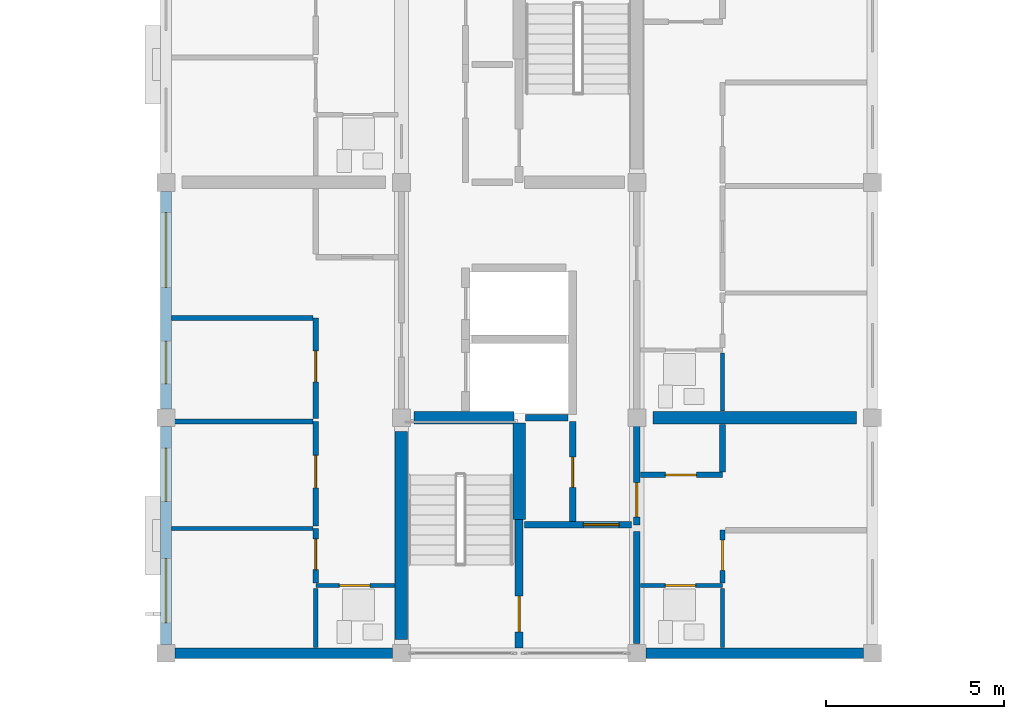
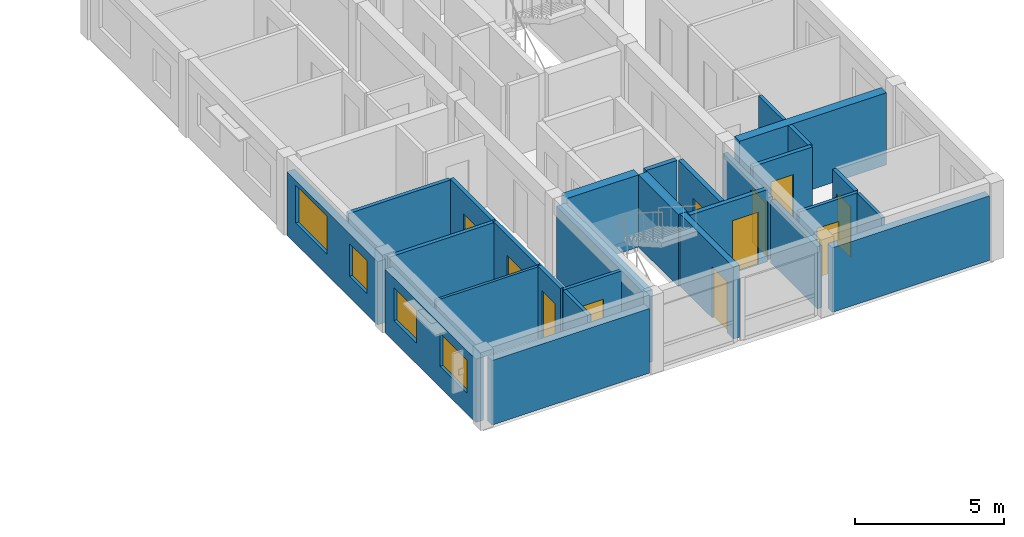
# One storey, part 30 of 52: 28 walls, 11 doors, 4 windows, 15 openings.
"""IFC4 building model written with IfcOpenShell, lengths in metres."""

from ifc_helpers import new_model, si_unit, direction, frame, frame_2d, origin, place, context, subcontext, project, spatial, rectangle, extrude, material, layer, layer_set, type_object, element, fill, save


model = new_model("IFC4")

# Units and contexts
model_context = context("Model", 3, precision=1e-05, world=origin(), true_north=direction((0.0, 1.0)))
body_context = subcontext(model_context, "Body", "Model", "MODEL_VIEW")
ifc_project = project(units=[si_unit("LENGTHUNIT", "METRE"), si_unit("AREAUNIT", "SQUARE_METRE"), si_unit("VOLUMEUNIT", "CUBIC_METRE"), si_unit("PLANEANGLEUNIT", "RADIAN"), si_unit("MASSUNIT", "GRAM", prefix="KILO")], contexts=[model_context])

# Site, building, storey
site_placement = place(None, origin())
site = spatial("IfcSite", under=ifc_project, at=site_placement, CompositionType="ELEMENT")
building_placement = place(site_placement, origin())
building = spatial("IfcBuilding", under=site, at=building_placement, Name="Kernevlak Ridge Housing Community", CompositionType="ELEMENT")
storey_placement = place(building_placement, frame((0.0, 0.0, 11.60009765625)))
storey = spatial("IfcBuildingStorey", under=building, at=storey_placement, Name="L03", CompositionType="ELEMENT", Elevation=11.60009765625)

# Wall, openings, windows
ifc_material_1 = material(Name="Concrete block masonry M10", Category="masonry")
ifc_layer_1 = layer(ifc_material_1, 0.300048828125, Name="Concrete block masonry M10")
ifc_layer_set_1 = layer_set([ifc_layer_1], Name="Concrete block masonry M10")
wall_type_1 = type_object("IfcWallType", Name="EW-01", PredefinedType="STANDARD", material=ifc_layer_set_1)
wall_1_placement = place(storey_placement, frame((126.0, 15.85009765625, 0.0), z_axis=(0.0, 0.0, 1.0), x_axis=(0.0, 1.0, 0.0)))
wall_1 = element("IfcWall", 1, at=wall_1_placement, inside=storey, type_object=wall_type_1, Name="Exterior wall EW-01 L03 572", PredefinedType="STANDARD", context=body_context, shape_type="SweptSolid", body=[
    extrude(rectangle(XDim=6.099853515625, YDim=0.300048828125, at=frame_2d((3.0498046875, 0.0))), origin(), (0.0, 0.0, 1.0), 2.599853515625),
])
opening_1_placement = place(wall_1_placement, frame((0.60009765625, 0.0, 0.85009765625)))
opening_1 = element("IfcOpeningElement", 2, at=opening_1_placement, cuts=wall_1, Name="Opening WT-03", PredefinedType="OPENING", context=body_context, shape_type="SweptSolid", body=[
    extrude(rectangle(XDim=1.800048828125, YDim=1.35009765625, at=frame_2d((0.89990234375, 0.675048828125))), frame((0.0, 0.159912109375, 0.0), z_axis=(0.0, -1.0, 0.0), x_axis=(1.0, 0.0, 0.0)), (0.0, 0.0, 1.0), 0.320068359375),
])
opening_2_placement = place(wall_1_placement, frame((4.0, 0.0, 0.85009765625)))
opening_2 = element("IfcOpeningElement", 3, at=opening_2_placement, cuts=wall_1, Name="Opening WT-02", PredefinedType="OPENING", context=body_context, shape_type="SweptSolid", body=[
    extrude(rectangle(XDim=1.5, YDim=1.35009765625, at=frame_2d((0.75, 0.675048828125))), frame((0.0, 0.159912109375, 0.0), z_axis=(0.0, -1.0, 0.0), x_axis=(1.0, 0.0, 0.0)), (0.0, 0.0, 1.0), 0.320068359375),
])
ifc_material_2 = material(Name="Aluminium EN AW-6060 anodised and laminated glass", Category="aluminium")
window_type_1 = type_object("IfcWindowType", Name="WT-02", PartitioningType="SINGLE_PANEL", PredefinedType="WINDOW", material=ifc_material_2)
window_1_placement = place(opening_2_placement, origin())
window_1 = element("IfcWindow", 4, at=window_1_placement, inside=storey, type_object=window_type_1, Name="Window WT-02 L03 458", OverallHeight=1.35009765625, OverallWidth=1.5, PartitioningType="SINGLE_PANEL", PredefinedType="WINDOW", context=body_context, shape_type="SweptSolid", body=[
    extrude(rectangle(XDim=1.5, YDim=1.35009765625, at=frame_2d((0.75, 0.675048828125))), frame((0.0, 0.030029296875, 0.0), z_axis=(0.0, -1.0, 0.0), x_axis=(1.0, 0.0, 0.0)), (0.0, 0.0, 1.0), 0.06005859375),
])
fill(opening_2, window_1)
window_type_2 = type_object("IfcWindowType", Name="WT-03", PartitioningType="SINGLE_PANEL", PredefinedType="WINDOW", material=ifc_material_2)
window_2_placement = place(opening_1_placement, origin())
window_2 = element("IfcWindow", 5, at=window_2_placement, inside=storey, type_object=window_type_2, Name="Window WT-03 L03 457", OverallHeight=1.35009765625, OverallWidth=1.800048828125, PartitioningType="SINGLE_PANEL", PredefinedType="WINDOW", context=body_context, shape_type="SweptSolid", body=[
    extrude(rectangle(XDim=1.800048828125, YDim=1.35009765625, at=frame_2d((0.89990234375, 0.675048828125))), frame((0.0, 0.030029296875, 0.0), z_axis=(0.0, -1.0, 0.0), x_axis=(1.0, 0.0, 0.0)), (0.0, 0.0, 1.0), 0.06005859375),
])
fill(opening_1, window_2)

wall_2_placement = place(storey_placement, frame((126.0, 22.449951171875, 0.0), z_axis=(0.0, 0.0, 1.0), x_axis=(0.0, 1.0, 0.0)))
wall_2 = element("IfcWall", 6, at=wall_2_placement, inside=storey, type_object=wall_type_1, Name="Exterior wall EW-01 L03 573", PredefinedType="STANDARD", context=body_context, shape_type="SweptSolid", body=[
    extrude(rectangle(XDim=6.10009765625, YDim=0.300048828125, at=frame_2d((3.050048828125, 0.0))), origin(), (0.0, 0.0, 1.0), 2.599853515625),
])
opening_3_placement = place(wall_2_placement, frame((0.699951171875, 0.0, 0.85009765625)))
opening_3 = element("IfcOpeningElement", 7, at=opening_3_placement, cuts=wall_2, Name="Opening WT-01", PredefinedType="OPENING", context=body_context, shape_type="SweptSolid", body=[
    extrude(rectangle(XDim=1.199951171875, YDim=1.35009765625, at=frame_2d((0.60009765625, 0.675048828125))), frame((0.0, 0.159912109375, 0.0), z_axis=(0.0, -1.0, 0.0), x_axis=(1.0, 0.0, 0.0)), (0.0, 0.0, 1.0), 0.320068359375),
])
opening_4_placement = place(wall_2_placement, frame((3.39990234375, 0.0, 0.85009765625)))
opening_4 = element("IfcOpeningElement", 8, at=opening_4_placement, cuts=wall_2, Name="Opening WT-05", PredefinedType="OPENING", context=body_context, shape_type="SweptSolid", body=[
    extrude(rectangle(XDim=2.10009765625, YDim=1.550048828125, at=frame_2d((1.050048828125, 0.77490234375))), frame((0.0, 0.159912109375, 0.0), z_axis=(0.0, -1.0, 0.0), x_axis=(1.0, 0.0, 0.0)), (0.0, 0.0, 1.0), 0.320068359375),
])
window_type_3 = type_object("IfcWindowType", Name="WT-01", PartitioningType="SINGLE_PANEL", PredefinedType="WINDOW", material=ifc_material_2)
window_3_placement = place(opening_3_placement, origin())
window_3 = element("IfcWindow", 9, at=window_3_placement, inside=storey, type_object=window_type_3, Name="Window WT-01 L03 459", OverallHeight=1.35009765625, OverallWidth=1.199951171875, PartitioningType="SINGLE_PANEL", PredefinedType="WINDOW", context=body_context, shape_type="SweptSolid", body=[
    extrude(rectangle(XDim=1.199951171875, YDim=1.35009765625, at=frame_2d((0.60009765625, 0.675048828125))), frame((0.0, 0.030029296875, 0.0), z_axis=(0.0, -1.0, 0.0), x_axis=(1.0, 0.0, 0.0)), (0.0, 0.0, 1.0), 0.06005859375),
])
fill(opening_3, window_3)
window_type_4 = type_object("IfcWindowType", Name="WT-05", PartitioningType="SINGLE_PANEL", PredefinedType="WINDOW", material=ifc_material_2)
window_4_placement = place(opening_4_placement, origin())
window_4 = element("IfcWindow", 10, at=window_4_placement, inside=storey, type_object=window_type_4, Name="Window WT-05 L03 460", OverallHeight=1.550048828125, OverallWidth=2.10009765625, PartitioningType="SINGLE_PANEL", PredefinedType="WINDOW", context=body_context, shape_type="SweptSolid", body=[
    extrude(rectangle(XDim=2.10009765625, YDim=1.550048828125, at=frame_2d((1.050048828125, 0.77490234375))), frame((0.0, 0.030029296875, 0.0), z_axis=(0.0, -1.0, 0.0), x_axis=(1.0, 0.0, 0.0)), (0.0, 0.0, 1.0), 0.06005859375),
])
fill(opening_4, window_4)

# Walls
for number, where, z_axis, x_axis, name in (
    (11, (126.25, 15.60009765625, 0.0), (0.0, 0.0, 1.0), (1.0, 0.0, 0.0), "Exterior wall EW-01 L03 582"),
    (12, (139.449951171875, 15.60009765625, 0.0), (0.0, 0.0, 1.0), (1.0, 0.0, 0.0), "Exterior wall EW-01 L03 583"),
):
    element("IfcWall", number, at=place(storey_placement, frame(where, z_axis=z_axis, x_axis=x_axis)), inside=storey, type_object=wall_type_1, Name=name, PredefinedType="STANDARD", context=body_context, shape_type="SweptSolid", body=[
        extrude(rectangle(XDim=6.10009765625, YDim=0.300048828125, at=frame_2d((3.050048828125, 0.0))), origin(), (0.0, 0.0, 1.0), 2.64990234375),
    ])

# Wall, opening, door
ifc_material_3 = material(Name="Concrete C35/45", Category="concrete")
ifc_layer_2 = layer(ifc_material_3, 0.22509765625, Name="Concrete C35/45")
ifc_layer_set_2 = layer_set([ifc_layer_2], Name="Concrete C35/45")
wall_type_2 = type_object("IfcWallType", Name="PW-01", PredefinedType="STANDARD", material=ifc_layer_set_2)
wall_3_placement = place(storey_placement, frame((135.89990234375, 15.75, 0.0), z_axis=(0.0, 0.0, 1.0), x_axis=(0.0, 1.0, 0.0)))
wall_3 = element("IfcWall", 13, at=wall_3_placement, inside=storey, type_object=wall_type_2, Name="Interior wall PW-01 WAL-INT-L03-2296", PredefinedType="STANDARD", context=body_context, shape_type="SweptSolid", body=[
    extrude(rectangle(XDim=3.60009765625, YDim=0.22509765625, at=frame_2d((1.800048828125, 0.0))), origin(), (0.0, 0.0, 1.0), 2.9599609375),
])
opening_5_placement = place(wall_3_placement, frame((0.449951171875, 0.0, 0.0)))
opening_5 = element("IfcOpeningElement", 14, at=opening_5_placement, cuts=wall_3, Name="Opening E165", PredefinedType="OPENING", context=body_context, shape_type="SweptSolid", body=[
    extrude(rectangle(XDim=1.0, YDim=2.10009765625, at=frame_2d((0.5, 1.050048828125))), frame((0.0, 0.12255859375, 0.0), z_axis=(0.0, -1.0, 0.0), x_axis=(1.0, 0.0, 0.0)), (0.0, 0.0, 1.0), 0.2451171875),
])
ifc_material_4 = material(Name="Fire-rated sheet steel leaf", Category="steel")
door_type_1 = type_object("IfcDoorType", Name="DT-05", OperationType="NOTDEFINED", PredefinedType="DOOR", material=ifc_material_4)
door_1_placement = place(opening_5_placement, origin())
door_1 = element("IfcDoor", 15, at=door_1_placement, inside=storey, type_object=door_type_1, Name="Block C Stair 1 fire door E165", OperationType="SINGLE_SWING_RIGHT", OverallHeight=2.10009765625, OverallWidth=1.0, PredefinedType="DOOR", context=body_context, shape_type="SweptSolid", body=[
    extrude(rectangle(XDim=1.0, YDim=2.10009765625, at=frame_2d((0.5, 1.050048828125))), frame((0.0, 0.02490234375, 0.0), z_axis=(0.0, -1.0, 0.0), x_axis=(1.0, 0.0, 0.0)), (0.0, 0.0, 1.0), 0.050048828125),
])
fill(opening_5, door_1)

ifc_layer_3 = layer(ifc_material_1, 0.175048828125, Name="Concrete block masonry M10")
ifc_layer_set_3 = layer_set([ifc_layer_3], Name="Concrete block masonry M10")
wall_type_3 = type_object("IfcWallType", Name="PW-02", PredefinedType="PARTITIONING", material=ifc_layer_set_3)
wall_4_placement = place(storey_placement, frame((136.050048828125, 19.199951171875, 0.0), z_axis=(0.0, 0.0, 1.0), x_axis=(1.0, 0.0, 0.0)))
wall_4 = element("IfcWall", 16, at=wall_4_placement, inside=storey, type_object=wall_type_3, Name="Interior wall PW-02 WAL-INT-L03-2297", PredefinedType="PARTITIONING", context=body_context, shape_type="SweptSolid", body=[
    extrude(rectangle(XDim=3.0, YDim=0.175048828125, at=frame_2d((1.5, 0.0))), origin(), (0.0, 0.0, 1.0), 2.9599609375),
])
opening_6_placement = place(wall_4_placement, frame((1.64990234375, 0.0, 0.0)))
opening_6 = element("IfcOpeningElement", 17, at=opening_6_placement, cuts=wall_4, Name="Opening E166", PredefinedType="OPENING", context=body_context, shape_type="SweptSolid", body=[
    extrude(rectangle(XDim=1.0, YDim=2.159912109375, at=frame_2d((0.5, 1.080078125))), frame((0.0, 0.097412109375, 0.0), z_axis=(0.0, -1.0, 0.0), x_axis=(1.0, 0.0, 0.0)), (0.0, 0.0, 1.0), 0.195068359375),
])
door_type_2 = type_object("IfcDoorType", Name="DT-15", OperationType="NOTDEFINED", PredefinedType="DOOR", material=ifc_material_4)
door_2_placement = place(opening_6_placement, origin())
door_2 = element("IfcDoor", 18, at=door_2_placement, inside=storey, type_object=door_type_2, Name="Block C Firefighting lobby 1 door E166", OperationType="SINGLE_SWING_LEFT", OverallHeight=2.159912109375, OverallWidth=1.0, PredefinedType="DOOR", context=body_context, shape_type="SweptSolid", body=[
    extrude(rectangle(XDim=1.0, YDim=2.159912109375, at=frame_2d((0.5, 1.080078125))), frame((0.0, 0.02490234375, 0.0), z_axis=(0.0, -1.0, 0.0), x_axis=(1.0, 0.0, 0.0)), (0.0, 0.0, 1.0), 0.050048828125),
])
fill(opening_6, door_2)

wall_5_placement = place(storey_placement, frame((137.39990234375, 19.300048828125, 0.0), z_axis=(0.0, 0.0, 1.0), x_axis=(0.0, 1.0, 0.0)))
wall_5 = element("IfcWall", 19, at=wall_5_placement, inside=storey, type_object=wall_type_3, Name="Interior wall PW-02 WAL-INT-L03-2298", PredefinedType="PARTITIONING", context=body_context, shape_type="SweptSolid", body=[
    extrude(rectangle(XDim=2.800048828125, YDim=0.175048828125, at=frame_2d((1.39990234375, 0.0))), origin(), (0.0, 0.0, 1.0), 2.9599609375),
])
opening_7_placement = place(wall_5_placement, frame((0.949951171875, 0.0, 0.0)))
opening_7 = element("IfcOpeningElement", 20, at=opening_7_placement, cuts=wall_5, Name="Opening E167", PredefinedType="OPENING", context=body_context, shape_type="SweptSolid", body=[
    extrude(rectangle(XDim=0.85009765625, YDim=2.0, at=frame_2d((0.425048828125, 1.0))), frame((0.0, 0.097412109375, 0.0), z_axis=(0.0, -1.0, 0.0), x_axis=(1.0, 0.0, 0.0)), (0.0, 0.0, 1.0), 0.195068359375),
])
door_type_3 = type_object("IfcDoorType", Name="DT-07", OperationType="NOTDEFINED", PredefinedType="DOOR", material=ifc_material_4)
door_3_placement = place(opening_7_placement, origin())
door_3 = element("IfcDoor", 21, at=door_3_placement, inside=storey, type_object=door_type_3, Name="Block C Riser shaft door E167", OperationType="SINGLE_SWING_RIGHT", OverallHeight=2.0, OverallWidth=0.85009765625, PredefinedType="DOOR", context=body_context, shape_type="SweptSolid", body=[
    extrude(rectangle(XDim=0.85009765625, YDim=2.0, at=frame_2d((0.425048828125, 1.0))), frame((0.0, 0.02490234375, 0.0), z_axis=(0.0, -1.0, 0.0), x_axis=(1.0, 0.0, 0.0)), (0.0, 0.0, 1.0), 0.050048828125),
])
fill(opening_7, door_3)

# Walls
wall_6_placement = place(storey_placement, frame((136.080078125, 22.199951171875, 0.0), z_axis=(0.0, 0.0, 1.0), x_axis=(1.0, 0.0, 0.0)))
element("IfcWall", 22, at=wall_6_placement, inside=storey, type_object=wall_type_3, Name="Interior wall PW-02 WAL-INT-L03-2299", PredefinedType="PARTITIONING", context=body_context, shape_type="SweptSolid", body=[
    extrude(rectangle(XDim=1.18994140625, YDim=0.175048828125, at=frame_2d((0.594970703125, 0.0))), origin(), (0.0, 0.0, 1.0), 2.9599609375),
])
wall_7_placement = place(storey_placement, frame((139.199951171875, 15.8798828125, 0.0), z_axis=(0.0, 0.0, 1.0), x_axis=(0.0, 1.0, 0.0)))
element("IfcWall", 23, at=wall_7_placement, inside=storey, type_object=wall_type_3, Name="Interior wall PW-02 WAL-INT-L03-2337", PredefinedType="PARTITIONING", context=body_context, shape_type="SweptSolid", body=[
    extrude(rectangle(XDim=3.14013671875, YDim=0.175048828125, at=frame_2d((1.570068359375, 0.0))), origin(), (0.0, 0.0, 1.0), 2.5498046875),
])

# Wall, opening, door
wall_8_placement = place(storey_placement, frame((139.199951171875, 19.199951171875, 0.0), z_axis=(0.0, 0.0, 1.0), x_axis=(0.0, 1.0, 0.0)))
wall_8 = element("IfcWall", 24, at=wall_8_placement, inside=storey, type_object=wall_type_3, Name="Interior wall PW-02 WAL-INT-L03-2338", PredefinedType="PARTITIONING", context=body_context, shape_type="SweptSolid", body=[
    extrude(rectangle(XDim=3.0, YDim=0.175048828125, at=frame_2d((1.5, 0.0))), origin(), (0.0, 0.0, 1.0), 2.5498046875),
])
opening_8_placement = place(wall_8_placement, frame((0.219970703125, 0.0, 0.0)))
opening_8 = element("IfcOpeningElement", 25, at=opening_8_placement, cuts=wall_8, Name="Opening E184", PredefinedType="OPENING", context=body_context, shape_type="SweptSolid", body=[
    extrude(rectangle(XDim=0.9599609375, YDim=2.179931640625, at=frame_2d((0.47998046875, 1.08984375))), frame((0.0, 0.097412109375, 0.0), z_axis=(0.0, -1.0, 0.0), x_axis=(1.0, 0.0, 0.0)), (0.0, 0.0, 1.0), 0.195068359375),
])
ifc_material_5 = material(Name="Hardwood timber solid-core fire leaf", Category="wood")
door_type_4 = type_object("IfcDoorType", Name="DT-29", OperationType="NOTDEFINED", PredefinedType="DOOR", material=ifc_material_5)
door_4_placement = place(opening_8_placement, origin())
door_4 = element("IfcDoor", 26, at=door_4_placement, inside=storey, type_object=door_type_4, Name="Flat C0321 entrance fire door E184", OperationType="SINGLE_SWING_LEFT", OverallHeight=2.179931640625, OverallWidth=0.9599609375, PredefinedType="DOOR", context=body_context, shape_type="SweptSolid", body=[
    extrude(rectangle(XDim=0.9599609375, YDim=2.179931640625, at=frame_2d((0.47998046875, 1.08984375))), frame((0.0, 0.02490234375, 0.0), z_axis=(0.0, -1.0, 0.0), x_axis=(1.0, 0.0, 0.0)), (0.0, 0.0, 1.0), 0.050048828125),
])
fill(opening_8, door_4)

ifc_layer_4 = layer(ifc_material_1, 0.14501953125, Name="Concrete block masonry M10")
ifc_layer_set_4 = layer_set([ifc_layer_4], Name="Concrete block masonry M10")
wall_type_4 = type_object("IfcWallType", Name="PW-03", PredefinedType="PARTITIONING", material=ifc_layer_set_4)
wall_9_placement = place(storey_placement, frame((130.199951171875, 17.572509765625, 0.0), z_axis=(0.0, 0.0, 1.0), x_axis=(0.0, 1.0, 0.0)))
wall_9 = element("IfcWall", 27, at=wall_9_placement, inside=storey, type_object=wall_type_4, Name="Interior wall PW-03 WAL-INT-L03-2320", PredefinedType="PARTITIONING", context=body_context, shape_type="SweptSolid", body=[
    extrude(rectangle(XDim=1.527587890625, YDim=0.14501953125, at=frame_2d((0.763671875, 0.0))), origin(), (0.0, 0.0, 1.0), 2.9599609375),
])
opening_9_placement = place(wall_9_placement, frame((0.375, 0.0, 0.0)))
opening_9 = element("IfcOpeningElement", 28, at=opening_9_placement, cuts=wall_9, Name="Opening E175", PredefinedType="OPENING", context=body_context, shape_type="SweptSolid", body=[
    extrude(rectangle(XDim=0.860107421875, YDim=2.1201171875, at=frame_2d((0.43017578125, 1.06005859375))), frame((0.0, 0.08251953125, 0.0), z_axis=(0.0, -1.0, 0.0), x_axis=(1.0, 0.0, 0.0)), (0.0, 0.0, 1.0), 0.1650390625),
])
ifc_material_6 = material(Name="Hardwood timber leaf", Category="wood")
door_type_5 = type_object("IfcDoorType", Name="DT-28", OperationType="NOTDEFINED", PredefinedType="DOOR", material=ifc_material_6)
door_5_placement = place(opening_9_placement, origin())
door_5 = element("IfcDoor", 29, at=door_5_placement, inside=storey, type_object=door_type_5, Name="Flat C0311 bedroom door E175", OperationType="SINGLE_SWING_RIGHT", OverallHeight=2.1201171875, OverallWidth=0.860107421875, PredefinedType="DOOR", context=body_context, shape_type="SweptSolid", body=[
    extrude(rectangle(XDim=0.860107421875, YDim=2.1201171875, at=frame_2d((0.43017578125, 1.06005859375))), frame((0.0, 0.02490234375, 0.0), z_axis=(0.0, -1.0, 0.0), x_axis=(1.0, 0.0, 0.0)), (0.0, 0.0, 1.0), 0.050048828125),
])
fill(opening_9, door_5)

wall_10_placement = place(storey_placement, frame((130.199951171875, 19.16259765625, 0.0), z_axis=(0.0, 0.0, 1.0), x_axis=(0.0, 1.0, 0.0)))
wall_10 = element("IfcWall", 30, at=wall_10_placement, inside=storey, type_object=wall_type_4, Name="Interior wall PW-03 WAL-INT-L03-2322", PredefinedType="PARTITIONING", context=body_context, shape_type="SweptSolid", body=[
    extrude(rectangle(XDim=2.9375, YDim=0.14501953125, at=frame_2d((1.46875, 0.0))), origin(), (0.0, 0.0, 1.0), 2.9599609375),
])
opening_10_placement = place(wall_10_placement, frame((1.074951171875, 0.0, 0.0)))
opening_10 = element("IfcOpeningElement", 31, at=opening_10_placement, cuts=wall_10, Name="Opening E176", PredefinedType="OPENING", context=body_context, shape_type="SweptSolid", body=[
    extrude(rectangle(XDim=0.909912109375, YDim=2.139892578125, at=frame_2d((0.455078125, 1.06982421875))), frame((0.0, 0.08251953125, 0.0), z_axis=(0.0, -1.0, 0.0), x_axis=(1.0, 0.0, 0.0)), (0.0, 0.0, 1.0), 0.1650390625),
])
door_type_6 = type_object("IfcDoorType", Name="DT-31", OperationType="NOTDEFINED", PredefinedType="DOOR", material=ifc_material_6)
door_6_placement = place(opening_10_placement, origin())
door_6 = element("IfcDoor", 32, at=door_6_placement, inside=storey, type_object=door_type_6, Name="Flat C0311 bedroom door E176", OperationType="SINGLE_SWING_LEFT", OverallHeight=2.139892578125, OverallWidth=0.909912109375, PredefinedType="DOOR", context=body_context, shape_type="SweptSolid", body=[
    extrude(rectangle(XDim=0.909912109375, YDim=2.139892578125, at=frame_2d((0.455078125, 1.06982421875))), frame((0.0, 0.02490234375, 0.0), z_axis=(0.0, -1.0, 0.0), x_axis=(1.0, 0.0, 0.0)), (0.0, 0.0, 1.0), 0.050048828125),
])
fill(opening_10, door_6)

# Wall
wall_11_placement = place(storey_placement, frame((130.117431640625, 22.10009765625, 0.0), z_axis=(0.0, 0.0, 1.0), x_axis=(-1.0, 0.0, 0.0)))
element("IfcWall", 33, at=wall_11_placement, inside=storey, type_object=wall_type_4, Name="Interior wall PW-03 WAL-INT-L03-2323", PredefinedType="PARTITIONING", context=body_context, shape_type="SweptSolid", body=[
    extrude(rectangle(XDim=4.037353515625, YDim=0.14501953125, at=frame_2d((2.0185546875, 0.0))), origin(), (0.0, 0.0, 1.0), 2.9599609375),
])

# Wall, opening, door
wall_12_placement = place(storey_placement, frame((130.199951171875, 22.1826171875, 0.0), z_axis=(0.0, 0.0, 1.0), x_axis=(0.0, 1.0, 0.0)))
wall_12 = element("IfcWall", 34, at=wall_12_placement, inside=storey, type_object=wall_type_4, Name="Interior wall PW-03 WAL-INT-L03-2324", PredefinedType="PARTITIONING", context=body_context, shape_type="SweptSolid", body=[
    extrude(rectangle(XDim=2.8173828125, YDim=0.14501953125, at=frame_2d((1.40869140625, 0.0))), origin(), (0.0, 0.0, 1.0), 2.9599609375),
])
opening_11_placement = place(wall_12_placement, frame((1.02490234375, 0.0, 0.0)))
opening_11 = element("IfcOpeningElement", 35, at=opening_11_placement, cuts=wall_12, Name="Opening E177", PredefinedType="OPENING", context=body_context, shape_type="SweptSolid", body=[
    extrude(rectangle(XDim=0.8701171875, YDim=2.080078125, at=frame_2d((0.43505859375, 1.0400390625))), frame((0.0, 0.08251953125, 0.0), z_axis=(0.0, -1.0, 0.0), x_axis=(1.0, 0.0, 0.0)), (0.0, 0.0, 1.0), 0.1650390625),
])
door_type_7 = type_object("IfcDoorType", Name="DT-32", OperationType="NOTDEFINED", PredefinedType="DOOR", material=ifc_material_6)
door_7_placement = place(opening_11_placement, origin())
door_7 = element("IfcDoor", 36, at=door_7_placement, inside=storey, type_object=door_type_7, Name="Flat C0311 bedroom door E177", OperationType="SINGLE_SWING_RIGHT", OverallHeight=2.080078125, OverallWidth=0.8701171875, PredefinedType="DOOR", context=body_context, shape_type="SweptSolid", body=[
    extrude(rectangle(XDim=0.8701171875, YDim=2.080078125, at=frame_2d((0.43505859375, 1.0400390625))), frame((0.0, 0.02490234375, 0.0), z_axis=(0.0, -1.0, 0.0), x_axis=(1.0, 0.0, 0.0)), (0.0, 0.0, 1.0), 0.050048828125),
])
fill(opening_11, door_7)

# Wall
wall_13_placement = place(storey_placement, frame((130.117431640625, 25.0, 0.0), z_axis=(0.0, 0.0, 1.0), x_axis=(-1.0, 0.0, 0.0)))
element("IfcWall", 37, at=wall_13_placement, inside=storey, type_object=wall_type_4, Name="Interior wall PW-03 WAL-INT-L03-2325", PredefinedType="PARTITIONING", context=body_context, shape_type="SweptSolid", body=[
    extrude(rectangle(XDim=3.95751953125, YDim=0.14501953125, at=frame_2d((1.978759765625, 0.0))), origin(), (0.0, 0.0, 1.0), 2.9599609375),
])

# Wall, opening, door
wall_14_placement = place(storey_placement, frame((141.60009765625, 17.572509765625, 0.0), z_axis=(0.0, 0.0, 1.0), x_axis=(0.0, 1.0, 0.0)))
wall_14 = element("IfcWall", 38, at=wall_14_placement, inside=storey, type_object=wall_type_4, Name="Interior wall PW-03 WAL-INT-L03-2343", PredefinedType="PARTITIONING", context=body_context, shape_type="SweptSolid", body=[
    extrude(rectangle(XDim=1.4775390625, YDim=0.14501953125, at=frame_2d((0.73876953125, 0.0))), origin(), (0.0, 0.0, 1.0), 2.9599609375),
])
opening_12_placement = place(wall_14_placement, frame((0.35009765625, 0.0, 0.0)))
opening_12 = element("IfcOpeningElement", 39, at=opening_12_placement, cuts=wall_14, Name="Opening E187", PredefinedType="OPENING", context=body_context, shape_type="SweptSolid", body=[
    extrude(rectangle(XDim=0.85009765625, YDim=2.10009765625, at=frame_2d((0.425048828125, 1.050048828125))), frame((0.0, 0.08251953125, 0.0), z_axis=(0.0, -1.0, 0.0), x_axis=(1.0, 0.0, 0.0)), (0.0, 0.0, 1.0), 0.1650390625),
])
door_type_8 = type_object("IfcDoorType", Name="DT-03", OperationType="NOTDEFINED", PredefinedType="DOOR", material=ifc_material_6)
door_8_placement = place(opening_12_placement, origin())
door_8 = element("IfcDoor", 40, at=door_8_placement, inside=storey, type_object=door_type_8, Name="Flat C0321 bedroom door E187", OperationType="SINGLE_SWING_RIGHT", OverallHeight=2.10009765625, OverallWidth=0.85009765625, PredefinedType="DOOR", context=body_context, shape_type="SweptSolid", body=[
    extrude(rectangle(XDim=0.85009765625, YDim=2.10009765625, at=frame_2d((0.425048828125, 1.050048828125))), frame((0.0, 0.02490234375, 0.0), z_axis=(0.0, -1.0, 0.0), x_axis=(1.0, 0.0, 0.0)), (0.0, 0.0, 1.0), 0.050048828125),
])
fill(opening_12, door_8)

ifc_material_7 = material(Name="Gypsum plasterboard EN 520", Category="gypsum")
ifc_layer_5 = layer(ifc_material_7, 0.125, Name="Gypsum plasterboard EN 520")
ifc_layer_set_5 = layer_set([ifc_layer_5], Name="Gypsum plasterboard EN 520")
wall_type_5 = type_object("IfcWallType", Name="PW-04", PredefinedType="PARTITIONING", material=ifc_layer_set_5)
wall_15_placement = place(storey_placement, frame((132.4150390625, 17.5, 0.0), z_axis=(0.0, 0.0, 1.0), x_axis=(-1.0, 0.0, 0.0)))
wall_15 = element("IfcWall", 41, at=wall_15_placement, inside=storey, type_object=wall_type_5, Name="Interior wall PW-04 WAL-INT-L03-2316", PredefinedType="PARTITIONING", context=body_context, shape_type="SweptSolid", body=[
    extrude(rectangle(XDim=2.215087890625, YDim=0.125, at=frame_2d((1.107421875, 0.0))), origin(), (0.0, 0.0, 1.0), 2.9599609375),
])
opening_13_placement = place(wall_15_placement, frame((0.699951171875, 0.0, 0.0)))
opening_13 = element("IfcOpeningElement", 42, at=opening_13_placement, cuts=wall_15, Name="Opening E173", PredefinedType="OPENING", context=body_context, shape_type="SweptSolid", body=[
    extrude(rectangle(XDim=0.85009765625, YDim=2.0400390625, at=frame_2d((0.425048828125, 1.02001953125))), frame((0.0, 0.072509765625, 0.0), z_axis=(0.0, -1.0, 0.0), x_axis=(1.0, 0.0, 0.0)), (0.0, 0.0, 1.0), 0.14501953125),
])
ifc_material_8 = material(Name="Hardwood timber moisture-resistant leaf", Category="wood")
door_type_9 = type_object("IfcDoorType", Name="DT-04", OperationType="NOTDEFINED", PredefinedType="DOOR", material=ifc_material_8)
door_9_placement = place(opening_13_placement, origin())
door_9 = element("IfcDoor", 43, at=door_9_placement, inside=storey, type_object=door_type_9, Name="Flat C0311 bathroom door E173", OperationType="SINGLE_SWING_RIGHT", OverallHeight=2.0400390625, OverallWidth=0.85009765625, PredefinedType="DOOR", context=body_context, shape_type="SweptSolid", body=[
    extrude(rectangle(XDim=0.85009765625, YDim=2.0400390625, at=frame_2d((0.425048828125, 1.02001953125))), frame((0.0, 0.02490234375, 0.0), z_axis=(0.0, -1.0, 0.0), x_axis=(1.0, 0.0, 0.0)), (0.0, 0.0, 1.0), 0.050048828125),
])
fill(opening_13, door_9)

# Wall
wall_16_placement = place(storey_placement, frame((130.199951171875, 15.760009765625, 0.0), z_axis=(0.0, 0.0, 1.0), x_axis=(0.0, 1.0, 0.0)))
element("IfcWall", 44, at=wall_16_placement, inside=storey, type_object=wall_type_5, Name="Interior wall PW-04 WAL-INT-L03-2317", PredefinedType="PARTITIONING", context=body_context, shape_type="SweptSolid", body=[
    extrude(rectangle(XDim=1.659912109375, YDim=0.125, at=frame_2d((0.830078125, 0.0))), origin(), (0.0, 0.0, 1.0), 2.9599609375),
])

# Wall, opening, door
wall_17_placement = place(storey_placement, frame((139.297607421875, 17.5, 0.0), z_axis=(0.0, 0.0, 1.0), x_axis=(1.0, 0.0, 0.0)))
wall_17 = element("IfcWall", 45, at=wall_17_placement, inside=storey, type_object=wall_type_5, Name="Interior wall PW-04 WAL-INT-L03-2339", PredefinedType="PARTITIONING", context=body_context, shape_type="SweptSolid", body=[
    extrude(rectangle(XDim=2.302490234375, YDim=0.125, at=frame_2d((1.1513671875, 0.0))), origin(), (0.0, 0.0, 1.0), 2.9599609375),
])
opening_14_placement = place(wall_17_placement, frame((0.699951171875, 0.0, 0.0)))
opening_14 = element("IfcOpeningElement", 46, at=opening_14_placement, cuts=wall_17, Name="Opening E185", PredefinedType="OPENING", context=body_context, shape_type="SweptSolid", body=[
    extrude(rectangle(XDim=0.85009765625, YDim=2.0400390625, at=frame_2d((0.425048828125, 1.02001953125))), frame((0.0, 0.072509765625, 0.0), z_axis=(0.0, -1.0, 0.0), x_axis=(1.0, 0.0, 0.0)), (0.0, 0.0, 1.0), 0.14501953125),
])
door_10_placement = place(opening_14_placement, origin())
door_10 = element("IfcDoor", 47, at=door_10_placement, inside=storey, type_object=door_type_9, Name="Flat C0321 bathroom door E185", OperationType="SINGLE_SWING_RIGHT", OverallHeight=2.0400390625, OverallWidth=0.85009765625, PredefinedType="DOOR", context=body_context, shape_type="SweptSolid", body=[
    extrude(rectangle(XDim=0.85009765625, YDim=2.0400390625, at=frame_2d((0.425048828125, 1.02001953125))), frame((0.0, 0.02490234375, 0.0), z_axis=(0.0, -1.0, 0.0), x_axis=(1.0, 0.0, 0.0)), (0.0, 0.0, 1.0), 0.050048828125),
])
fill(opening_14, door_10)

# Walls
wall_18_placement = place(storey_placement, frame((141.60009765625, 15.760009765625, 0.0), z_axis=(0.0, 0.0, 1.0), x_axis=(0.0, 1.0, 0.0)))
element("IfcWall", 48, at=wall_18_placement, inside=storey, type_object=wall_type_5, Name="Interior wall PW-04 WAL-INT-L03-2340", PredefinedType="PARTITIONING", context=body_context, shape_type="SweptSolid", body=[
    extrude(rectangle(XDim=1.659912109375, YDim=0.125, at=frame_2d((0.830078125, 0.0))), origin(), (0.0, 0.0, 1.0), 2.9599609375),
])
wall_19_placement = place(storey_placement, frame((141.60009765625, 22.385009765625, 0.0), z_axis=(0.0, 0.0, 1.0), x_axis=(0.0, 1.0, 0.0)))
element("IfcWall", 49, at=wall_19_placement, inside=storey, type_object=wall_type_5, Name="Interior wall PW-04 WAL-INT-L03-2347", PredefinedType="PARTITIONING", context=body_context, shape_type="SweptSolid", body=[
    extrude(rectangle(XDim=1.635009765625, YDim=0.125, at=frame_2d((0.8173828125, 0.0))), origin(), (0.0, 0.0, 1.0), 2.9599609375),
])

# Wall, opening, door
ifc_layer_6 = layer(ifc_material_7, 0.155029296875, Name="Gypsum plasterboard EN 520")
ifc_layer_set_6 = layer_set([ifc_layer_6], Name="Gypsum plasterboard EN 520")
wall_type_6 = type_object("IfcWallType", Name="PW-05", PredefinedType="PARTITIONING", material=ifc_layer_set_6)
wall_20_placement = place(storey_placement, frame((139.297607421875, 20.60009765625, 0.0), z_axis=(0.0, 0.0, 1.0), x_axis=(1.0, 0.0, 0.0)))
wall_20 = element("IfcWall", 50, at=wall_20_placement, inside=storey, type_object=wall_type_6, Name="Interior wall PW-05 WAL-INT-L03-2341", PredefinedType="PARTITIONING", context=body_context, shape_type="SweptSolid", body=[
    extrude(rectangle(XDim=2.302490234375, YDim=0.155029296875, at=frame_2d((1.1513671875, 0.0))), origin(), (0.0, 0.0, 1.0), 2.9599609375),
])
opening_15_placement = place(wall_20_placement, frame((0.699951171875, 0.0, 0.0)))
opening_15 = element("IfcOpeningElement", 51, at=opening_15_placement, cuts=wall_20, Name="Opening E186", PredefinedType="OPENING", context=body_context, shape_type="SweptSolid", body=[
    extrude(rectangle(XDim=0.8701171875, YDim=2.080078125, at=frame_2d((0.43505859375, 1.0400390625))), frame((0.0, 0.08740234375, 0.0), z_axis=(0.0, -1.0, 0.0), x_axis=(1.0, 0.0, 0.0)), (0.0, 0.0, 1.0), 0.175048828125),
])
door_11_placement = place(opening_15_placement, origin())
door_11 = element("IfcDoor", 52, at=door_11_placement, inside=storey, type_object=door_type_7, Name="Flat C0321 kitchen door E186", OperationType="SINGLE_SWING_LEFT", OverallHeight=2.080078125, OverallWidth=0.8701171875, PredefinedType="DOOR", context=body_context, shape_type="SweptSolid", body=[
    extrude(rectangle(XDim=0.8701171875, YDim=2.080078125, at=frame_2d((0.43505859375, 1.0400390625))), frame((0.0, 0.02490234375, 0.0), z_axis=(0.0, -1.0, 0.0), x_axis=(1.0, 0.0, 0.0)), (0.0, 0.0, 1.0), 0.050048828125),
])
fill(opening_15, door_11)

# Walls
wall_21_placement = place(storey_placement, frame((141.60009765625, 20.6875, 0.0), z_axis=(0.0, 0.0, 1.0), x_axis=(0.0, 1.0, 0.0)))
element("IfcWall", 53, at=wall_21_placement, inside=storey, type_object=wall_type_6, Name="Interior wall PW-05 WAL-INT-L03-2342", PredefinedType="PARTITIONING", context=body_context, shape_type="SweptSolid", body=[
    extrude(rectangle(XDim=1.327392578125, YDim=0.155029296875, at=frame_2d((0.66357421875, 0.0))), origin(), (0.0, 0.0, 1.0), 2.9599609375),
])
ifc_layer_7 = layer(ifc_material_7, 0.10498046875, Name="Gypsum plasterboard EN 520")
ifc_layer_set_7 = layer_set([ifc_layer_7], Name="Gypsum plasterboard EN 520")
wall_type_7 = type_object("IfcWallType", Name="PW-06", PredefinedType="PARTITIONING", material=ifc_layer_set_7)
wall_22_placement = place(storey_placement, frame((130.117431640625, 19.10009765625, 0.0), z_axis=(0.0, 0.0, 1.0), x_axis=(-1.0, 0.0, 0.0)))
element("IfcWall", 54, at=wall_22_placement, inside=storey, type_object=wall_type_7, Name="Interior wall PW-06 WAL-INT-L03-2321", PredefinedType="PARTITIONING", context=body_context, shape_type="SweptSolid", body=[
    extrude(rectangle(XDim=3.95751953125, YDim=0.10498046875, at=frame_2d((1.978759765625, 0.0))), origin(), (0.0, 0.0, 1.0), 2.9599609375),
])
ifc_material_9 = material(Name="Concrete C40/50", Category="concrete")
ifc_layer_8 = layer(ifc_material_9, 0.35009765625, Name="Concrete C40/50")
ifc_layer_set_8 = layer_set([ifc_layer_8], Name="Concrete C40/50")
wall_type_8 = type_object("IfcWallType", Name="SW-01", PredefinedType="SHEAR", material=ifc_layer_set_8)
wall_23_placement = place(storey_placement, frame((132.60009765625, 15.97998046875, 0.0), z_axis=(0.0, 0.0, 1.0), x_axis=(0.0, 1.0, 0.0)))
element("IfcWall", 55, at=wall_23_placement, inside=storey, type_object=wall_type_8, Name="Shear wall SW-01 Block C L03 401", PredefinedType="SHEAR", context=body_context, shape_type="SweptSolid", body=[
    extrude(rectangle(XDim=5.840087890625, YDim=0.35009765625, at=frame_2d((2.919921875, 0.0))), origin(), (0.0, 0.0, 1.0), 2.9599609375),
])
wall_24_placement = place(storey_placement, frame((135.89990234375, 19.35009765625, 0.0), z_axis=(0.0, 0.0, 1.0), x_axis=(0.0, 1.0, 0.0)))
element("IfcWall", 56, at=wall_24_placement, inside=storey, type_object=wall_type_8, Name="Shear wall SW-01 Block C L03 402", PredefinedType="SHEAR", context=body_context, shape_type="SweptSolid", body=[
    extrude(rectangle(XDim=2.699951171875, YDim=0.35009765625, at=frame_2d((1.35009765625, 0.0))), origin(), (0.0, 0.0, 1.0), 2.9599609375),
])
wall_25_placement = place(storey_placement, frame((132.949951171875, 22.199951171875, 0.0), z_axis=(0.0, 0.0, 1.0), x_axis=(1.0, 0.0, 0.0)))
element("IfcWall", 57, at=wall_25_placement, inside=storey, type_object=wall_type_8, Name="Shear wall SW-01 Block C L03 403", PredefinedType="SHEAR", context=body_context, shape_type="SweptSolid", body=[
    extrude(rectangle(XDim=2.800048828125, YDim=0.35009765625, at=frame_2d((1.39990234375, 0.0))), origin(), (0.0, 0.0, 1.0), 2.9599609375),
])
wall_26_placement = place(storey_placement, frame((139.64990234375, 22.199951171875, 0.0), z_axis=(0.0, 0.0, 1.0), x_axis=(1.0, 0.0, 0.0)))
element("IfcWall", 58, at=wall_26_placement, inside=storey, type_object=wall_type_8, Name="Shear wall SW-01 Block C L03 409", PredefinedType="SHEAR", context=body_context, shape_type="SweptSolid", body=[
    extrude(rectangle(XDim=5.7001953125, YDim=0.35009765625, at=frame_2d((2.85009765625, 0.0))), origin(), (0.0, 0.0, 1.0), 2.9599609375),
])

save(model, "model.ifc")
